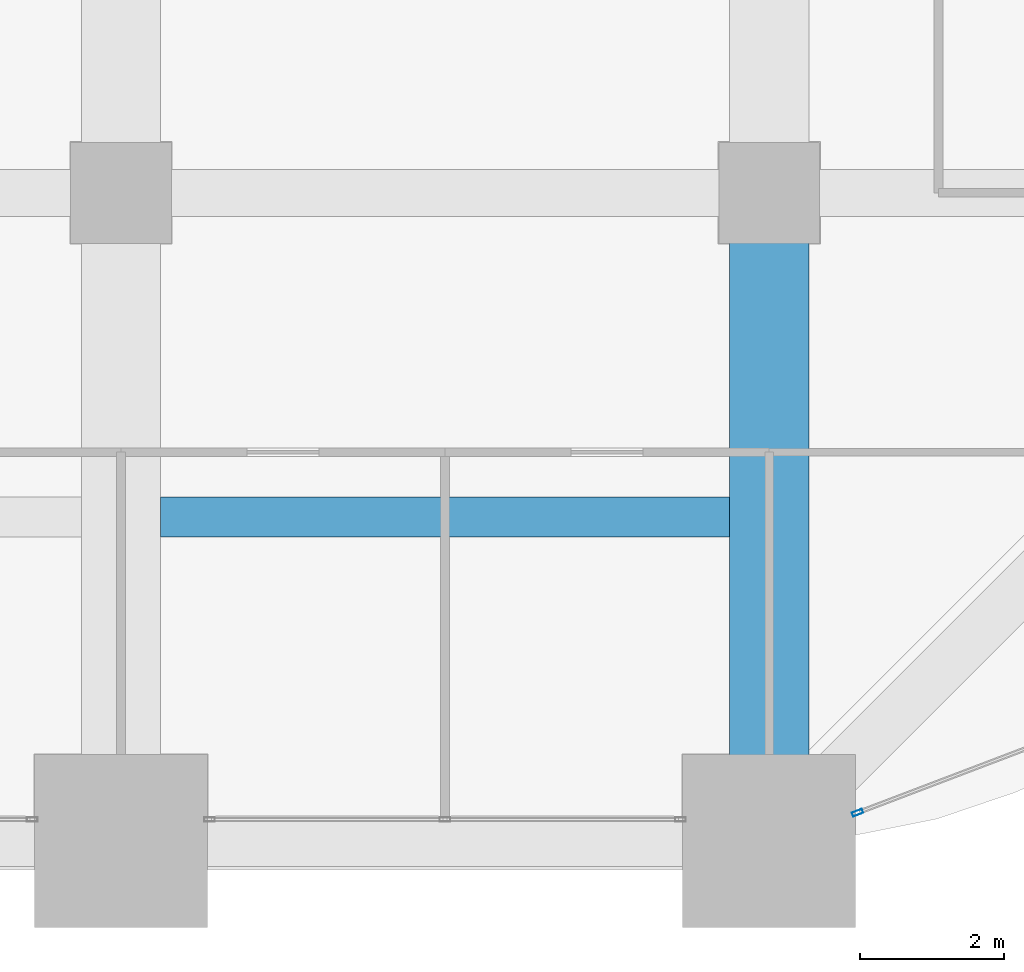
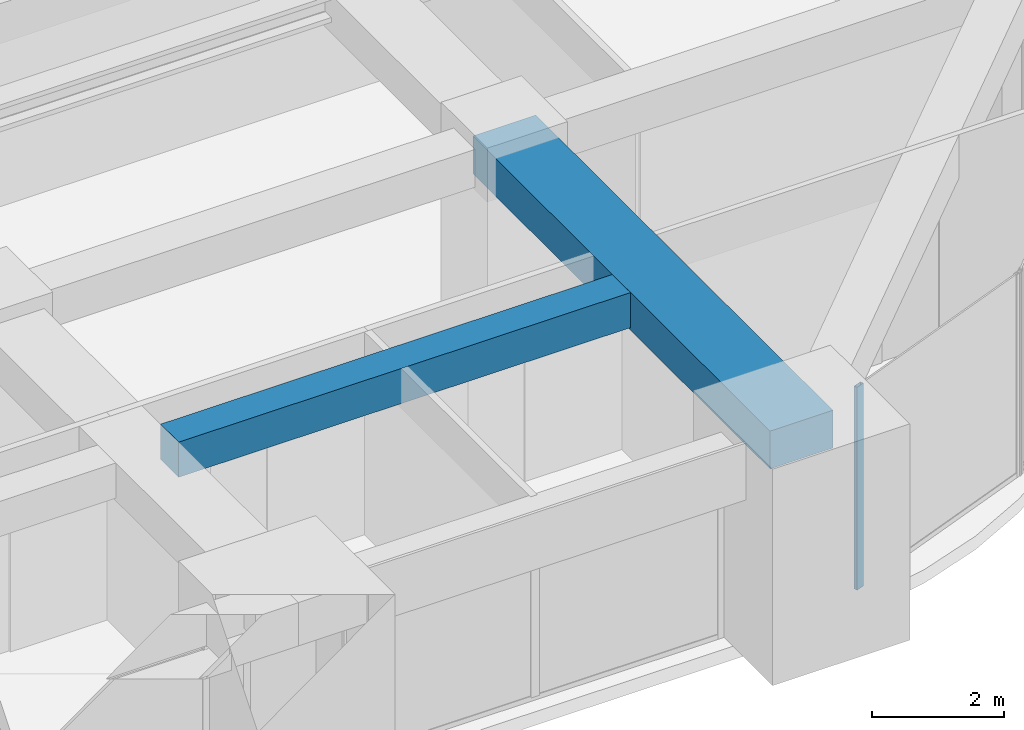
# One storey, part 14 of 33: 2 beams, 1 member, 1 element without a shape of its own.
"""IFC4 building model written with IfcOpenShell, lengths in metres."""

import ifcopenshell
import ifcopenshell.guid

model = None  # the IFC model being written
_history = None  # IfcOwnerHistory: only IFC2X3 demands one
_inside = {}  # id of a spatial element -> (the spatial element, [elements in it])
_under = {}  # id of a project, library or spatial element -> (it, [spatial elements below it])
_declared = {}  # id of a project -> (the project, [libraries it declares])
_typed = {}  # id of a type object -> (the type object, [elements of that type])
_made_of = {}  # id of a material, layer set ... -> (it, [elements and type objects made of it])


def new_model(schema):
    """Start an empty IFC model of exactly this schema.

    Asked for "IFC4X3", IfcOpenShell would pick the latest addendum, in which some entities
    have other attributes; the version numbers below select the first issue.
    IFC2X3 requires an IfcOwnerHistory on every rooted entity: one is made here for all.
    """
    global model, _history
    if schema == "IFC4X3":
        model = ifcopenshell.file(schema_version=(4, 3, 0, 0))
    else:
        model = ifcopenshell.file(schema=schema)
    _inside.clear()
    _under.clear()
    _declared.clear()
    _typed.clear()
    _made_of.clear()
    _history = None
    if model.schema == "IFC2X3":
        org = make("IfcOrganization", Name="unknown")
        user = make(
            "IfcPersonAndOrganization",
            ThePerson=make("IfcPerson", FamilyName="unknown"),
            TheOrganization=org,
        )
        app = make(
            "IfcApplication",
            ApplicationDeveloper=org,
            Version="unknown",
            ApplicationFullName="unknown",
            ApplicationIdentifier="unknown",
        )
        _history = make(
            "IfcOwnerHistory",
            OwningUser=user,
            OwningApplication=app,
            ChangeAction="ADDED",
            CreationDate=0,
        )
    return model


def make(cls, **values):
    """One entity of the class cls with the attributes given. An attribute that is None is left unset."""
    return model.create_entity(
        cls, **{name: value for name, value in values.items() if value is not None}
    )


def rooted(cls, **values):
    """An entity with a GlobalId (a new one), such as an element, a storey or a relation."""
    return make(cls, GlobalId=ifcopenshell.guid.new(), OwnerHistory=_history, **values)


def si_unit(unit_type, name, prefix=None):
    """IfcSIUnit, for example si_unit("LENGTHUNIT", "METRE", prefix="MILLI")."""
    return make("IfcSIUnit", UnitType=unit_type, Prefix=prefix, Name=name)


def assignment(units):
    """IfcUnitAssignment: the units of a project."""
    return None if units is None else make("IfcUnitAssignment", Units=units)


def point(xyz):
    """IfcCartesianPoint."""
    return None if xyz is None else make("IfcCartesianPoint", Coordinates=xyz)


def direction(xyz):
    """IfcDirection."""
    return None if xyz is None else make("IfcDirection", DirectionRatios=xyz)


def frame(location, z_axis=None, x_axis=None):
    """IfcAxis2Placement3D, a coordinate frame: its origin and axes. An axis left out is left unset."""
    return make(
        "IfcAxis2Placement3D",
        Location=point(location),
        Axis=direction(z_axis),
        RefDirection=direction(x_axis),
    )


def frame_2d(location, x_axis=None):
    """IfcAxis2Placement2D, a coordinate frame in the plane: its origin and x axis."""
    return make(
        "IfcAxis2Placement2D", Location=point(location), RefDirection=direction(x_axis)
    )


def origin():
    """The frame at (0, 0, 0) with its axes left unset."""
    return frame((0.0, 0.0, 0.0))


def origin_2d():
    """The frame at (0, 0) in the plane with its x axis left unset."""
    return frame_2d((0.0, 0.0))


def place(relative_to, where):
    """IfcLocalPlacement: puts the frame where relative to a parent placement (None: the world)."""
    return make(
        "IfcLocalPlacement", PlacementRelTo=relative_to, RelativePlacement=where
    )


def context(
    kind, dimensions, precision=None, world=None, true_north=None, identifier=None
):
    """IfcGeometricRepresentationContext, for example the 3D "Model" context."""
    return make(
        "IfcGeometricRepresentationContext",
        ContextIdentifier=identifier,
        ContextType=kind,
        CoordinateSpaceDimension=dimensions,
        Precision=precision,
        WorldCoordinateSystem=world,
        TrueNorth=true_north,
    )


def subcontext(parent, identifier, kind, view, scale=None):
    """IfcGeometricRepresentationSubContext, for example "Body" below "Model"."""
    return make(
        "IfcGeometricRepresentationSubContext",
        ContextIdentifier=identifier,
        ContextType=kind,
        ParentContext=parent,
        TargetScale=scale,
        TargetView=view,
    )


def project(units=None, contexts=None):
    """IfcProject with its units and contexts."""
    return rooted(
        "IfcProject",
        Name="project",
        RepresentationContexts=contexts,
        UnitsInContext=assignment(units),
    )


def spatial(cls, under=None, at=None, **own):
    """A site, building, storey or space (cls), placed at a placement, below another one or the project."""
    s = rooted(cls, ObjectPlacement=at, **own)
    if under is not None:
        _under.setdefault(under.id(), (under, []))[1].append(s)
    return s


def profile(cls, at=None, kind="AREA", **sizes):
    """A parametric profile (cls). Its sizes go by their IFC names, for example OverallWidth=200.0."""
    return make(cls, ProfileType=kind, Position=at, **sizes)


def rectangle(**sizes):
    """IfcRectangleProfileDef."""
    return profile("IfcRectangleProfileDef", **sizes)


def hollow_rectangle(**sizes):
    """IfcRectangleHollowProfileDef."""
    return profile("IfcRectangleHollowProfileDef", **sizes)


def extrude(swept, where, along, depth):
    """IfcExtrudedAreaSolid: the profile swept, set in the frame where, extruded along a direction by depth."""
    return make(
        "IfcExtrudedAreaSolid",
        SweptArea=swept,
        Position=where,
        ExtrudedDirection=direction(along),
        Depth=depth,
    )


def shape(context_of_items, identifier, shape_type, items):
    """IfcShapeRepresentation: the items that make up one representation, for example the "Body"."""
    return make(
        "IfcShapeRepresentation",
        ContextOfItems=context_of_items,
        RepresentationIdentifier=identifier,
        RepresentationType=shape_type,
        Items=items,
    )


def material(Name=None, Category=None):
    """IfcMaterial."""
    return make("IfcMaterial", Name=Name, Category=Category)


def material_profile(
    of_material, cross_section, Name=None, Category=None, Priority=None
):
    """IfcMaterialProfile: a cross section and its material."""
    return make(
        "IfcMaterialProfile",
        Name=Name,
        Material=of_material,
        Profile=cross_section,
        Priority=Priority,
        Category=Category,
    )


def profile_set(profiles, Name=None, composite=None):
    """IfcMaterialProfileSet."""
    return make(
        "IfcMaterialProfileSet",
        Name=Name,
        MaterialProfiles=profiles,
        CompositeProfile=composite,
    )


def made_of(thing, what):
    """Note that an element or type object is made of a material, layer set ...; save() writes the relation."""
    if what is not None:
        _made_of.setdefault(what.id(), (what, []))[1].append(thing)
    return thing


def type_object(cls, material=None, **own):
    """A type object (cls), such as IfcWallType, which elements share."""
    return made_of(rooted(cls, **own), material)


def element(
    cls,
    number,
    at=None,
    inside=None,
    cuts=None,
    type_object=None,
    material=None,
    context=None,
    identifier="Body",
    shape_type=None,
    held_by="IfcProductDefinitionShape",
    body=None,
    shapes=None,
    **own,
):
    """One element of the class cls, such as IfcWall. Its Tag is "e" and its number.

    at: its placement. inside: the storey or other place that contains it. cuts: it is an
    opening in that element (IfcRelVoidsElement). A single representation is given by context,
    identifier, shape_type and body (its items); several are given by shapes. held_by: the class
    of the entity that holds the representations. save() writes the other relations.
    """
    e = rooted(cls, Tag="e%d" % number, ObjectPlacement=at, **own)
    if body is not None:
        shapes = [shape(context, identifier, shape_type, body)]
    if shapes is not None:
        e.Representation = make(held_by, Representations=shapes)
    if inside is not None:
        _inside.setdefault(inside.id(), (inside, []))[1].append(e)
    if cuts is not None:
        rooted(
            "IfcRelVoidsElement", RelatingBuildingElement=cuts, RelatedOpeningElement=e
        )
    if type_object is not None:
        _typed.setdefault(type_object.id(), (type_object, []))[1].append(e)
    return made_of(e, material)


def aggregate(whole, parts):
    """IfcRelAggregates: a whole, such as a stair, and the parts it consists of."""
    return rooted("IfcRelAggregates", RelatingObject=whole, RelatedObjects=parts)


def save(model, path):
    """Write the relations noted so far, then the file.

    IfcRelAggregates (storeys below a building ...), IfcRelContainedInSpatialStructure (elements
    in a storey), IfcRelDefinesByType, IfcRelAssociatesMaterial and IfcRelDeclares: one each for
    every whole, place, type object, material and project.
    """
    for whole, parts in _under.values():
        aggregate(whole, parts)
    for where, things in _inside.values():
        rooted(
            "IfcRelContainedInSpatialStructure",
            RelatedElements=things,
            RelatingStructure=where,
        )
    for kind, things in _typed.values():
        rooted("IfcRelDefinesByType", RelatedObjects=things, RelatingType=kind)
    for what, things in _made_of.values():
        rooted("IfcRelAssociatesMaterial", RelatedObjects=things, RelatingMaterial=what)
    for by, libraries in _declared.values():
        rooted("IfcRelDeclares", RelatingContext=by, RelatedDefinitions=libraries)
    model.write(path)


model = new_model("IFC4")

# Units and contexts
model_context = context("Model", 3, precision=1e-05, world=origin(), true_north=direction((0.0, 1.0)))
body_context = subcontext(model_context, "Body", "Model", "MODEL_VIEW")
ifc_project = project(units=[si_unit("LENGTHUNIT", "METRE"), si_unit("AREAUNIT", "SQUARE_METRE"), si_unit("VOLUMEUNIT", "CUBIC_METRE"), si_unit("PLANEANGLEUNIT", "RADIAN"), si_unit("MASSUNIT", "GRAM", prefix="KILO")], contexts=[model_context])

# Site, building, storey
site_placement = place(None, origin())
site = spatial("IfcSite", under=ifc_project, at=site_placement, CompositionType="ELEMENT")
building_placement = place(site_placement, origin())
building = spatial("IfcBuilding", under=site, at=building_placement, Name="Zorevar Civic Tower", CompositionType="ELEMENT")
storey_placement = place(building_placement, frame((0.0, 0.0, 210.199951171875)))
storey = spatial("IfcBuildingStorey", under=building, at=storey_placement, Name="L51", CompositionType="ELEMENT", Elevation=210.199951171875)

# Beams
ifc_material_1 = material(Name="Concrete C50/60", Category="concrete")
ifc_material_profile_1 = material_profile(ifc_material_1, rectangle(XDim=1.10009765625, YDim=0.699951171875, at=origin_2d()), Name="RC 1100x700")
ifc_profile_set_1 = profile_set([ifc_material_profile_1], Name="Concrete C50/60")
beam_type_1 = type_object("IfcBeamType", Name="Beam RC 1100x700", PredefinedType="BEAM", material=ifc_profile_set_1)
beam_1_placement = place(storey_placement, frame((45.0, 0.0, 3.400146484375), z_axis=(0.0, 1.0, 0.0), x_axis=(-1.0, 0.0, 0.0)))
element("IfcBeam", 1, at=beam_1_placement, inside=storey, type_object=beam_type_1, Name="Girder L52", PredefinedType="BEAM", context=body_context, shape_type="SweptSolid", body=[
    extrude(rectangle(XDim=1.10009765625, YDim=0.699951171875, at=origin_2d()), origin(), (0.0, 0.0, 1.0), 9.0),
])
ifc_material_2 = material(Name="Concrete C50/60", Category="concrete")
ifc_material_profile_2 = material_profile(ifc_material_2, rectangle(XDim=0.550048828125, YDim=0.64990234375, at=origin_2d()), Name="RC 550x650")
ifc_profile_set_2 = profile_set([ifc_material_profile_2], Name="Concrete C50/60")
beam_type_2 = type_object("IfcBeamType", Name="Beam RC 550x650", PredefinedType="BEAM", material=ifc_profile_set_2)
beam_2_placement = place(storey_placement, frame((36.550048828125, 4.5, 3.425048828125), z_axis=(1.0, 0.0, 0.0), x_axis=(0.0, 1.0, 0.0)))
element("IfcBeam", 2, at=beam_2_placement, inside=storey, type_object=beam_type_2, Name="Secondary beam L52", PredefinedType="BEAM", context=body_context, shape_type="SweptSolid", body=[
    extrude(rectangle(XDim=0.550048828125, YDim=0.64990234375, at=origin_2d()), origin(), (0.0, 0.0, 1.0), 7.89990234375),
])

# Curtain wall, member
ifc_material_3 = material(Name="Dark grey solar-control glass in black aluminium frame", Category="aluminium")
curtain_wall_type = type_object("IfcCurtainWallType", Name="Curtain wall CW4 high zone", PredefinedType="NOTDEFINED", material=ifc_material_3)
curtain_wall_placement = place(storey_placement, origin())
curtain_wall = element("IfcCurtainWall", 3, at=curtain_wall_placement, inside=storey, type_object=curtain_wall_type, Name="CW4 L51", PredefinedType="NOTDEFINED")
ifc_material_4 = material(Name="Aluminium, black anodised", Category="aluminium")
ifc_material_profile_3 = material_profile(ifc_material_4, hollow_rectangle(XDim=0.06005859375, YDim=0.14990234375, WallThickness=0.00390625, at=origin_2d()), Name="AL 150x60x4")
ifc_profile_set_3 = profile_set([ifc_material_profile_3], Name="Aluminium, black anodised")
member_type = type_object("IfcMemberType", Name="CW4 mullion AL 150x60x4", PredefinedType="MULLION", material=ifc_profile_set_3)
member_placement = place(storey_placement, frame((46.22802734375, 0.393798828125, 0.0), z_axis=(0.0, 0.0, 1.0), x_axis=(-0.355730895803, 0.93458842801, 0.0)))
member = element("IfcMember", 4, at=member_placement, type_object=member_type, Name="CW4 mullion 1", PredefinedType="MULLION", context=body_context, shape_type="SweptSolid", body=[
    extrude(hollow_rectangle(XDim=0.06005859375, YDim=0.14990234375, WallThickness=0.00390625, at=origin_2d()), origin(), (0.0, 0.0, 1.0), 3.75),
])
aggregate(curtain_wall, [member])

save(model, "model.ifc")
